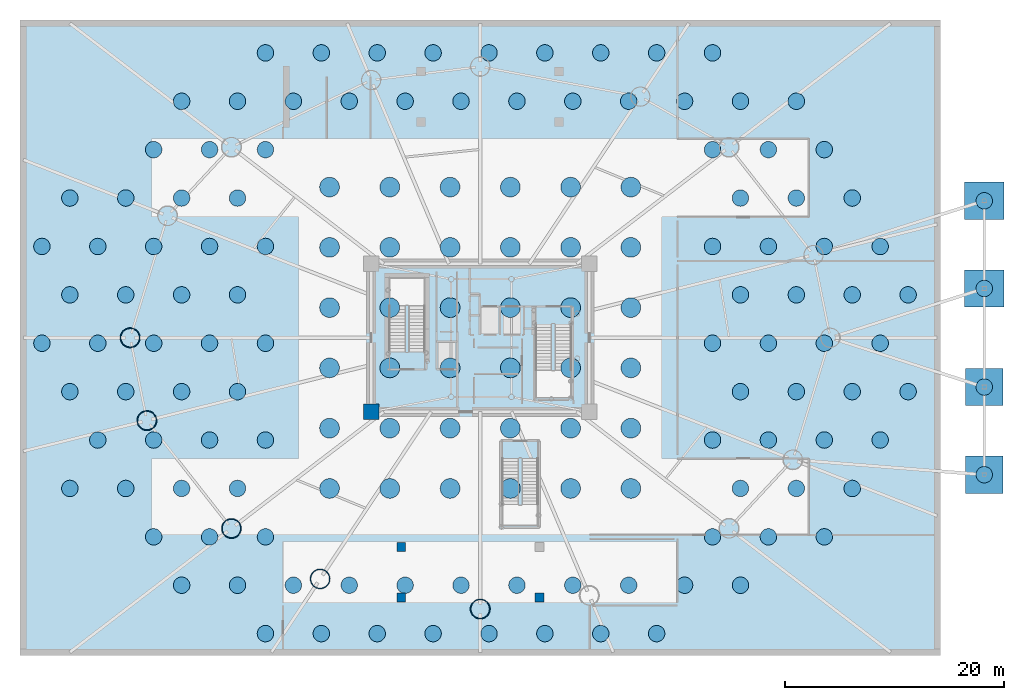
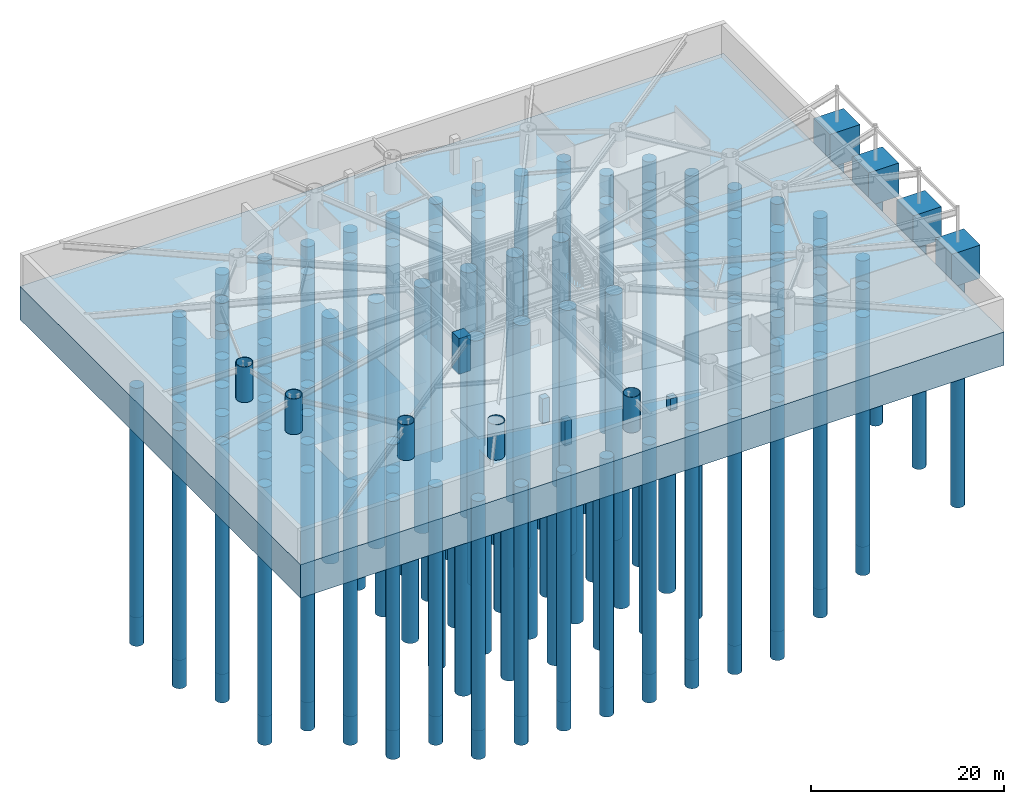
# One storey, part 1 of 18: 148 piles, 9 columns, 5 footings.
"""IFC4 building model written with IfcOpenShell, lengths in metres."""

from ifc_helpers import new_model, si_unit, direction, frame, origin, origin_2d, place, context, subcontext, project, spatial, polyline, rectangle, circle, hollow_circle, outline, extrude, material, layer, layer_set, material_profile, profile_set, type_object, element, save


model = new_model("IFC4")

# Units and contexts
model_context = context("Model", 3, precision=1e-05, world=origin(), true_north=direction((0.0, 1.0)))
body_context = subcontext(model_context, "Body", "Model", "MODEL_VIEW")
ifc_project = project(units=[si_unit("LENGTHUNIT", "METRE"), si_unit("AREAUNIT", "SQUARE_METRE"), si_unit("VOLUMEUNIT", "CUBIC_METRE"), si_unit("PLANEANGLEUNIT", "RADIAN"), si_unit("MASSUNIT", "GRAM", prefix="KILO")], contexts=[model_context])

# Site, building, storey
site_placement = place(None, origin())
site = spatial("IfcSite", under=ifc_project, at=site_placement, CompositionType="ELEMENT")
building_placement = place(site_placement, origin())
building = spatial("IfcBuilding", under=site, at=building_placement, Name="Linh Dai School and Residence Tower", CompositionType="ELEMENT")
storey_placement = place(building_placement, frame((0.0, 0.0, -9.0)))
storey = spatial("IfcBuildingStorey", under=building, at=storey_placement, Name="B02", CompositionType="ELEMENT", Elevation=-9.0)

# Footings
ifc_material_1 = material(Name="Concrete B45 (C35/45)", Category="concrete")
ifc_layer_1 = layer(ifc_material_1, 4.199951171875)
ifc_layer_set_1 = layer_set([ifc_layer_1], Name="Concrete B45 (C35/45)")
footing_type_1 = type_object("IfcFootingType", Name="FTG-PC1", PredefinedType="PILE_CAP", material=ifc_layer_set_1)
footing_1_placement = place(storey_placement, frame((0.0, 0.0, -4.199951171875)))
element("IfcFooting", 1, at=footing_1_placement, inside=storey, type_object=footing_type_1, Name="East Arrival Discrete Pile Cap PC1-1", PredefinedType="PILE_CAP", context=body_context, shape_type="SweptSolid", body=[
    extrude(outline(polyline([(80.300048828125, 12.800048828125), (83.699951171875, 12.800048828125), (83.699951171875, 16.199951171875), (80.300048828125, 16.199951171875), (80.300048828125, 12.800048828125)])), origin(), (0.0, 0.0, 1.0), 4.199951171875),
])
footing_2_placement = place(storey_placement, frame((0.0, 0.0, -4.199951171875)))
element("IfcFooting", 2, at=footing_2_placement, inside=storey, type_object=footing_type_1, Name="East Arrival Discrete Pile Cap PC1-2", PredefinedType="PILE_CAP", context=body_context, shape_type="SweptSolid", body=[
    extrude(outline(polyline([(80.300048828125, 20.800048828125), (83.699951171875, 20.800048828125), (83.699951171875, 24.199951171875), (80.300048828125, 24.199951171875), (80.300048828125, 20.800048828125)])), origin(), (0.0, 0.0, 1.0), 4.199951171875),
])
ifc_layer_2 = layer(ifc_material_1, 4.199951171875)
ifc_layer_set_2 = layer_set([ifc_layer_2], Name="Concrete B45 (C35/45)")
footing_type_2 = type_object("IfcFootingType", Name="FTG-PC2", PredefinedType="PILE_CAP", material=ifc_layer_set_2)
footing_3_placement = place(storey_placement, frame((0.0, 0.0, -4.199951171875)))
element("IfcFooting", 3, at=footing_3_placement, inside=storey, type_object=footing_type_2, Name="East Arrival Discrete Pile Cap PC2-1", PredefinedType="PILE_CAP", context=body_context, shape_type="SweptSolid", body=[
    extrude(outline(polyline([(80.199951171875, 29.800048828125), (83.800048828125, 29.800048828125), (83.800048828125, 33.199951171875), (80.199951171875, 33.199951171875), (80.199951171875, 29.800048828125)])), origin(), (0.0, 0.0, 1.0), 4.199951171875),
])
footing_4_placement = place(storey_placement, frame((0.0, 0.0, -4.199951171875)))
element("IfcFooting", 4, at=footing_4_placement, inside=storey, type_object=footing_type_2, Name="East Arrival Discrete Pile Cap PC2-2", PredefinedType="PILE_CAP", context=body_context, shape_type="SweptSolid", body=[
    extrude(outline(polyline([(80.199951171875, 37.800048828125), (83.800048828125, 37.800048828125), (83.800048828125, 41.199951171875), (80.199951171875, 41.199951171875), (80.199951171875, 37.800048828125)])), origin(), (0.0, 0.0, 1.0), 4.199951171875),
])
ifc_layer_3 = layer(ifc_material_1, 4.199951171875)
ifc_layer_set_3 = layer_set([ifc_layer_3], Name="Concrete B45 (C35/45)")
footing_type_3 = type_object("IfcFootingType", Name="FTG-PR1", PredefinedType="PAD_FOOTING", material=ifc_layer_set_3)
footing_5_placement = place(storey_placement, frame((0.0, 0.0, -4.199951171875)))
element("IfcFooting", 5, at=footing_5_placement, inside=storey, type_object=footing_type_3, Name="B02 Piled Raft Foundation PR1", PredefinedType="PAD_FOOTING", context=body_context, shape_type="SweptSolid", body=[
    extrude(outline(polyline([(-6.0, -2.0), (78.0, -2.0), (78.0, 56.0), (-6.0, 56.0), (-6.0, -2.0)])), origin(), (0.0, 0.0, 1.0), 4.199951171875),
])

# Piles
ifc_material_profile_1 = material_profile(ifc_material_1, circle(Radius=0.89990234375, at=origin_2d()), Name="PILE D1800")
ifc_profile_set_1 = profile_set([ifc_material_profile_1], Name="Concrete B45 (C35/45)")
pile_type_1 = type_object("IfcPileType", Name="PILE-P1", PredefinedType="BORED", material=ifc_profile_set_1)
for number, where, z_axis, x_axis, name in (
    (6, (22.25, 13.25, -4.10009765625), (0.0, 0.0, -1.0), (1.0, 0.0, 0.0), "Granite-Socketed Bored Pile P1-001"),
    (7, (22.25, 18.75, -4.10009765625), (0.0, 0.0, -1.0), (1.0, 0.0, 0.0), "Granite-Socketed Bored Pile P1-002"),
    (8, (22.25, 24.25, -4.10009765625), (0.0, 0.0, -1.0), (1.0, 0.0, 0.0), "Granite-Socketed Bored Pile P1-003"),
    (9, (22.25, 29.75, -4.10009765625), (0.0, 0.0, -1.0), (1.0, 0.0, 0.0), "Granite-Socketed Bored Pile P1-004"),
    (10, (22.25, 35.25, -4.10009765625), (0.0, 0.0, -1.0), (1.0, 0.0, 0.0), "Granite-Socketed Bored Pile P1-005"),
    (11, (22.25, 40.75, -4.10009765625), (0.0, 0.0, -1.0), (1.0, 0.0, 0.0), "Granite-Socketed Bored Pile P1-006"),
    (12, (27.75, 13.25, -4.10009765625), (0.0, 0.0, -1.0), (1.0, 0.0, 0.0), "Granite-Socketed Bored Pile P1-007"),
    (13, (27.75, 18.75, -4.10009765625), (0.0, 0.0, -1.0), (1.0, 0.0, 0.0), "Granite-Socketed Bored Pile P1-008"),
    (14, (27.75, 24.25, -4.10009765625), (0.0, 0.0, -1.0), (1.0, 0.0, 0.0), "Granite-Socketed Bored Pile P1-009"),
    (15, (27.75, 29.75, -4.10009765625), (0.0, 0.0, -1.0), (1.0, 0.0, 0.0), "Granite-Socketed Bored Pile P1-010"),
    (16, (27.75, 35.25, -4.10009765625), (0.0, 0.0, -1.0), (1.0, 0.0, 0.0), "Granite-Socketed Bored Pile P1-011"),
    (17, (27.75, 40.75, -4.10009765625), (0.0, 0.0, -1.0), (1.0, 0.0, 0.0), "Granite-Socketed Bored Pile P1-012"),
    (18, (33.25, 13.25, -4.10009765625), (0.0, 0.0, -1.0), (1.0, 0.0, 0.0), "Granite-Socketed Bored Pile P1-013"),
    (19, (33.25, 18.75, -4.10009765625), (0.0, 0.0, -1.0), (1.0, 0.0, 0.0), "Granite-Socketed Bored Pile P1-014"),
    (20, (33.25, 24.25, -4.10009765625), (0.0, 0.0, -1.0), (1.0, 0.0, 0.0), "Granite-Socketed Bored Pile P1-015"),
    (21, (33.25, 29.75, -4.10009765625), (0.0, 0.0, -1.0), (1.0, 0.0, 0.0), "Granite-Socketed Bored Pile P1-016"),
    (22, (33.25, 35.25, -4.10009765625), (0.0, 0.0, -1.0), (1.0, 0.0, 0.0), "Granite-Socketed Bored Pile P1-017"),
    (23, (33.25, 40.75, -4.10009765625), (0.0, 0.0, -1.0), (1.0, 0.0, 0.0), "Granite-Socketed Bored Pile P1-018"),
    (24, (38.75, 13.25, -4.10009765625), (0.0, 0.0, -1.0), (1.0, 0.0, 0.0), "Granite-Socketed Bored Pile P1-019"),
    (25, (38.75, 18.75, -4.10009765625), (0.0, 0.0, -1.0), (1.0, 0.0, 0.0), "Granite-Socketed Bored Pile P1-020"),
    (26, (38.75, 24.25, -4.10009765625), (0.0, 0.0, -1.0), (1.0, 0.0, 0.0), "Granite-Socketed Bored Pile P1-021"),
    (27, (38.75, 29.75, -4.10009765625), (0.0, 0.0, -1.0), (1.0, 0.0, 0.0), "Granite-Socketed Bored Pile P1-022"),
    (28, (38.75, 35.25, -4.10009765625), (0.0, 0.0, -1.0), (1.0, 0.0, 0.0), "Granite-Socketed Bored Pile P1-023"),
    (29, (38.75, 40.75, -4.10009765625), (0.0, 0.0, -1.0), (1.0, 0.0, 0.0), "Granite-Socketed Bored Pile P1-024"),
    (30, (44.25, 13.25, -4.10009765625), (0.0, 0.0, -1.0), (1.0, 0.0, 0.0), "Granite-Socketed Bored Pile P1-025"),
    (31, (44.25, 18.75, -4.10009765625), (0.0, 0.0, -1.0), (1.0, 0.0, 0.0), "Granite-Socketed Bored Pile P1-026"),
    (32, (44.25, 24.25, -4.10009765625), (0.0, 0.0, -1.0), (1.0, 0.0, 0.0), "Granite-Socketed Bored Pile P1-027"),
    (33, (44.25, 29.75, -4.10009765625), (0.0, 0.0, -1.0), (1.0, 0.0, 0.0), "Granite-Socketed Bored Pile P1-028"),
    (34, (44.25, 35.25, -4.10009765625), (0.0, 0.0, -1.0), (1.0, 0.0, 0.0), "Granite-Socketed Bored Pile P1-029"),
    (35, (44.25, 40.75, -4.10009765625), (0.0, 0.0, -1.0), (1.0, 0.0, 0.0), "Granite-Socketed Bored Pile P1-030"),
    (36, (49.75, 13.25, -4.10009765625), (0.0, 0.0, -1.0), (1.0, 0.0, 0.0), "Granite-Socketed Bored Pile P1-031"),
    (37, (49.75, 18.75, -4.10009765625), (0.0, 0.0, -1.0), (1.0, 0.0, 0.0), "Granite-Socketed Bored Pile P1-032"),
    (38, (49.75, 24.25, -4.10009765625), (0.0, 0.0, -1.0), (1.0, 0.0, 0.0), "Granite-Socketed Bored Pile P1-033"),
    (39, (49.75, 29.75, -4.10009765625), (0.0, 0.0, -1.0), (1.0, 0.0, 0.0), "Granite-Socketed Bored Pile P1-034"),
    (40, (49.75, 35.25, -4.10009765625), (0.0, 0.0, -1.0), (1.0, 0.0, 0.0), "Granite-Socketed Bored Pile P1-035"),
    (41, (49.75, 40.75, -4.10009765625), (0.0, 0.0, -1.0), (1.0, 0.0, 0.0), "Granite-Socketed Bored Pile P1-036"),
):
    element("IfcPile", number, at=place(storey_placement, frame(where, z_axis=z_axis, x_axis=x_axis)), inside=storey, type_object=pile_type_1, Name=name, PredefinedType="BORED", context=body_context, shape_type="SweptSolid", body=[
        extrude(circle(Radius=0.89990234375, at=origin_2d()), origin(), (0.0, 0.0, 1.0), 31.0),
    ])
ifc_material_profile_2 = material_profile(ifc_material_1, circle(Radius=0.75, at=origin_2d()), Name="PILE D1500")
ifc_profile_set_2 = profile_set([ifc_material_profile_2], Name="Concrete B45 (C35/45)")
pile_type_2 = type_object("IfcPileType", Name="PILE-P2", PredefinedType="BORED", material=ifc_profile_set_2)
for number, where, z_axis, x_axis, name in (
    (42, (-4.0, 26.500244140625, -4.10009765625), (0.0, 0.0, -1.0), (1.0, 0.0, 0.0), "Granite-Socketed Bored Pile P2-001"),
    (43, (-4.0, 35.33349609375, -4.10009765625), (0.0, 0.0, -1.0), (1.0, 0.0, 0.0), "Granite-Socketed Bored Pile P2-002"),
    (44, (-1.449951171875, 13.25, -4.10009765625), (0.0, 0.0, -1.0), (1.0, 0.0, 0.0), "Granite-Socketed Bored Pile P2-003"),
    (45, (-1.449951171875, 22.08349609375, -4.10009765625), (0.0, 0.0, -1.0), (1.0, 0.0, 0.0), "Granite-Socketed Bored Pile P2-004"),
    (46, (-1.449951171875, 30.9169921875, -4.10009765625), (0.0, 0.0, -1.0), (1.0, 0.0, 0.0), "Granite-Socketed Bored Pile P2-005"),
    (47, (-1.449951171875, 39.750244140625, -4.10009765625), (0.0, 0.0, -1.0), (1.0, 0.0, 0.0), "Granite-Socketed Bored Pile P2-006"),
    (48, (1.10009765625, 17.666748046875, -4.10009765625), (0.0, 0.0, -1.0), (1.0, 0.0, 0.0), "Granite-Socketed Bored Pile P2-007"),
    (49, (1.10009765625, 26.500244140625, -4.10009765625), (0.0, 0.0, -1.0), (1.0, 0.0, 0.0), "Granite-Socketed Bored Pile P2-008"),
    (50, (1.10009765625, 35.33349609375, -4.10009765625), (0.0, 0.0, -1.0), (1.0, 0.0, 0.0), "Granite-Socketed Bored Pile P2-009"),
    (51, (3.64990234375, 13.25, -4.10009765625), (0.0, 0.0, -1.0), (1.0, 0.0, 0.0), "Granite-Socketed Bored Pile P2-010"),
    (52, (3.64990234375, 22.08349609375, -4.10009765625), (0.0, 0.0, -1.0), (1.0, 0.0, 0.0), "Granite-Socketed Bored Pile P2-011"),
    (53, (3.64990234375, 30.9169921875, -4.10009765625), (0.0, 0.0, -1.0), (1.0, 0.0, 0.0), "Granite-Socketed Bored Pile P2-012"),
    (54, (3.64990234375, 39.750244140625, -4.10009765625), (0.0, 0.0, -1.0), (1.0, 0.0, 0.0), "Granite-Socketed Bored Pile P2-013"),
    (55, (6.199951171875, 8.83349609375, -4.10009765625), (0.0, 0.0, -1.0), (1.0, 0.0, 0.0), "Granite-Socketed Bored Pile P2-014"),
    (56, (6.199951171875, 17.666748046875, -4.10009765625), (0.0, 0.0, -1.0), (1.0, 0.0, 0.0), "Granite-Socketed Bored Pile P2-015"),
    (57, (6.199951171875, 26.500244140625, -4.10009765625), (0.0, 0.0, -1.0), (1.0, 0.0, 0.0), "Granite-Socketed Bored Pile P2-016"),
    (58, (6.199951171875, 35.33349609375, -4.10009765625), (0.0, 0.0, -1.0), (1.0, 0.0, 0.0), "Granite-Socketed Bored Pile P2-017"),
    (59, (6.199951171875, 44.1669921875, -4.10009765625), (0.0, 0.0, -1.0), (1.0, 0.0, 0.0), "Granite-Socketed Bored Pile P2-018"),
    (60, (8.75, 4.416748046875, -4.10009765625), (0.0, 0.0, -1.0), (1.0, 0.0, 0.0), "Granite-Socketed Bored Pile P2-019"),
    (61, (8.75, 13.25, -4.10009765625), (0.0, 0.0, -1.0), (1.0, 0.0, 0.0), "Granite-Socketed Bored Pile P2-020"),
    (62, (8.75, 22.08349609375, -4.10009765625), (0.0, 0.0, -1.0), (1.0, 0.0, 0.0), "Granite-Socketed Bored Pile P2-021"),
    (63, (8.75, 30.9169921875, -4.10009765625), (0.0, 0.0, -1.0), (1.0, 0.0, 0.0), "Granite-Socketed Bored Pile P2-022"),
    (64, (8.75, 39.750244140625, -4.10009765625), (0.0, 0.0, -1.0), (1.0, 0.0, 0.0), "Granite-Socketed Bored Pile P2-023"),
    (65, (8.75, 48.583740234375, -4.10009765625), (0.0, 0.0, -1.0), (1.0, 0.0, 0.0), "Granite-Socketed Bored Pile P2-024"),
    (66, (11.300048828125, 8.83349609375, -4.10009765625), (0.0, 0.0, -1.0), (1.0, 0.0, 0.0), "Granite-Socketed Bored Pile P2-025"),
    (67, (11.300048828125, 17.666748046875, -4.10009765625), (0.0, 0.0, -1.0), (1.0, 0.0, 0.0), "Granite-Socketed Bored Pile P2-026"),
    (68, (11.300048828125, 26.500244140625, -4.10009765625), (0.0, 0.0, -1.0), (1.0, 0.0, 0.0), "Granite-Socketed Bored Pile P2-027"),
    (69, (11.300048828125, 35.33349609375, -4.10009765625), (0.0, 0.0, -1.0), (1.0, 0.0, 0.0), "Granite-Socketed Bored Pile P2-028"),
    (70, (11.300048828125, 44.1669921875, -4.10009765625), (0.0, 0.0, -1.0), (1.0, 0.0, 0.0), "Granite-Socketed Bored Pile P2-029"),
    (71, (13.85009765625, 4.416748046875, -4.10009765625), (0.0, 0.0, -1.0), (1.0, 0.0, 0.0), "Granite-Socketed Bored Pile P2-030"),
    (72, (13.85009765625, 13.25, -4.10009765625), (0.0, 0.0, -1.0), (1.0, 0.0, 0.0), "Granite-Socketed Bored Pile P2-031"),
    (73, (13.85009765625, 22.08349609375, -4.10009765625), (0.0, 0.0, -1.0), (1.0, 0.0, 0.0), "Granite-Socketed Bored Pile P2-032"),
    (74, (13.85009765625, 30.9169921875, -4.10009765625), (0.0, 0.0, -1.0), (1.0, 0.0, 0.0), "Granite-Socketed Bored Pile P2-033"),
    (75, (13.85009765625, 39.750244140625, -4.10009765625), (0.0, 0.0, -1.0), (1.0, 0.0, 0.0), "Granite-Socketed Bored Pile P2-034"),
    (76, (13.85009765625, 48.583740234375, -4.10009765625), (0.0, 0.0, -1.0), (1.0, 0.0, 0.0), "Granite-Socketed Bored Pile P2-035"),
    (77, (16.39990234375, 0.0, -4.10009765625), (0.0, 0.0, -1.0), (1.0, 0.0, 0.0), "Granite-Socketed Bored Pile P2-036"),
    (78, (16.39990234375, 8.83349609375, -4.10009765625), (0.0, 0.0, -1.0), (1.0, 0.0, 0.0), "Granite-Socketed Bored Pile P2-037"),
    (79, (16.39990234375, 17.666748046875, -4.10009765625), (0.0, 0.0, -1.0), (1.0, 0.0, 0.0), "Granite-Socketed Bored Pile P2-038"),
    (80, (16.39990234375, 26.500244140625, -4.10009765625), (0.0, 0.0, -1.0), (1.0, 0.0, 0.0), "Granite-Socketed Bored Pile P2-039"),
    (81, (16.39990234375, 35.33349609375, -4.10009765625), (0.0, 0.0, -1.0), (1.0, 0.0, 0.0), "Granite-Socketed Bored Pile P2-040"),
    (82, (16.39990234375, 44.1669921875, -4.10009765625), (0.0, 0.0, -1.0), (1.0, 0.0, 0.0), "Granite-Socketed Bored Pile P2-041"),
    (83, (16.39990234375, 53.00048828125, -4.10009765625), (0.0, 0.0, -1.0), (1.0, 0.0, 0.0), "Granite-Socketed Bored Pile P2-042"),
    (84, (18.949951171875, 4.416748046875, -4.10009765625), (0.0, 0.0, -1.0), (1.0, 0.0, 0.0), "Granite-Socketed Bored Pile P2-043"),
    (85, (18.949951171875, 48.583740234375, -4.10009765625), (0.0, 0.0, -1.0), (1.0, 0.0, 0.0), "Granite-Socketed Bored Pile P2-044"),
    (86, (21.5, 0.0, -4.10009765625), (0.0, 0.0, -1.0), (1.0, 0.0, 0.0), "Granite-Socketed Bored Pile P2-045"),
    (87, (21.5, 53.00048828125, -4.10009765625), (0.0, 0.0, -1.0), (1.0, 0.0, 0.0), "Granite-Socketed Bored Pile P2-046"),
    (88, (24.050048828125, 4.416748046875, -4.10009765625), (0.0, 0.0, -1.0), (1.0, 0.0, 0.0), "Granite-Socketed Bored Pile P2-047"),
    (89, (24.050048828125, 48.583740234375, -4.10009765625), (0.0, 0.0, -1.0), (1.0, 0.0, 0.0), "Granite-Socketed Bored Pile P2-048"),
    (90, (26.60009765625, 0.0, -4.10009765625), (0.0, 0.0, -1.0), (1.0, 0.0, 0.0), "Granite-Socketed Bored Pile P2-049"),
    (91, (26.60009765625, 53.00048828125, -4.10009765625), (0.0, 0.0, -1.0), (1.0, 0.0, 0.0), "Granite-Socketed Bored Pile P2-050"),
    (92, (29.14990234375, 4.416748046875, -4.10009765625), (0.0, 0.0, -1.0), (1.0, 0.0, 0.0), "Granite-Socketed Bored Pile P2-051"),
    (93, (29.14990234375, 48.583740234375, -4.10009765625), (0.0, 0.0, -1.0), (1.0, 0.0, 0.0), "Granite-Socketed Bored Pile P2-052"),
    (94, (31.699951171875, 0.0, -4.10009765625), (0.0, 0.0, -1.0), (1.0, 0.0, 0.0), "Granite-Socketed Bored Pile P2-053"),
    (95, (31.699951171875, 53.00048828125, -4.10009765625), (0.0, 0.0, -1.0), (1.0, 0.0, 0.0), "Granite-Socketed Bored Pile P2-054"),
    (96, (34.25, 4.416748046875, -4.10009765625), (0.0, 0.0, -1.0), (1.0, 0.0, 0.0), "Granite-Socketed Bored Pile P2-055"),
    (97, (34.25, 48.583740234375, -4.10009765625), (0.0, 0.0, -1.0), (1.0, 0.0, 0.0), "Granite-Socketed Bored Pile P2-056"),
    (98, (36.800048828125, 0.0, -4.10009765625), (0.0, 0.0, -1.0), (1.0, 0.0, 0.0), "Granite-Socketed Bored Pile P2-057"),
    (99, (36.800048828125, 53.00048828125, -4.10009765625), (0.0, 0.0, -1.0), (1.0, 0.0, 0.0), "Granite-Socketed Bored Pile P2-058"),
    (100, (39.35009765625, 4.416748046875, -4.10009765625), (0.0, 0.0, -1.0), (1.0, 0.0, 0.0), "Granite-Socketed Bored Pile P2-059"),
    (101, (39.35009765625, 48.583740234375, -4.10009765625), (0.0, 0.0, -1.0), (1.0, 0.0, 0.0), "Granite-Socketed Bored Pile P2-060"),
    (102, (41.89990234375, 0.0, -4.10009765625), (0.0, 0.0, -1.0), (1.0, 0.0, 0.0), "Granite-Socketed Bored Pile P2-061"),
    (103, (41.89990234375, 53.00048828125, -4.10009765625), (0.0, 0.0, -1.0), (1.0, 0.0, 0.0), "Granite-Socketed Bored Pile P2-062"),
    (104, (44.449951171875, 4.416748046875, -4.10009765625), (0.0, 0.0, -1.0), (1.0, 0.0, 0.0), "Granite-Socketed Bored Pile P2-063"),
    (105, (44.449951171875, 48.583740234375, -4.10009765625), (0.0, 0.0, -1.0), (1.0, 0.0, 0.0), "Granite-Socketed Bored Pile P2-064"),
    (106, (47.0, 0.0, -4.10009765625), (0.0, 0.0, -1.0), (1.0, 0.0, 0.0), "Granite-Socketed Bored Pile P2-065"),
    (107, (47.0, 53.00048828125, -4.10009765625), (0.0, 0.0, -1.0), (1.0, 0.0, 0.0), "Granite-Socketed Bored Pile P2-066"),
    (108, (49.550048828125, 4.416748046875, -4.10009765625), (0.0, 0.0, -1.0), (1.0, 0.0, 0.0), "Granite-Socketed Bored Pile P2-067"),
    (109, (49.550048828125, 48.583740234375, -4.10009765625), (0.0, 0.0, -1.0), (1.0, 0.0, 0.0), "Granite-Socketed Bored Pile P2-068"),
    (110, (52.10009765625, 0.0, -4.10009765625), (0.0, 0.0, -1.0), (1.0, 0.0, 0.0), "Granite-Socketed Bored Pile P2-069"),
    (111, (52.10009765625, 53.00048828125, -4.10009765625), (0.0, 0.0, -1.0), (1.0, 0.0, 0.0), "Granite-Socketed Bored Pile P2-070"),
    (112, (54.64990234375, 4.416748046875, -4.10009765625), (0.0, 0.0, -1.0), (1.0, 0.0, 0.0), "Granite-Socketed Bored Pile P2-071"),
    (113, (54.64990234375, 48.583740234375, -4.10009765625), (0.0, 0.0, -1.0), (1.0, 0.0, 0.0), "Granite-Socketed Bored Pile P2-072"),
    (114, (57.199951171875, 8.83349609375, -4.10009765625), (0.0, 0.0, -1.0), (1.0, 0.0, 0.0), "Granite-Socketed Bored Pile P2-073"),
    (115, (57.199951171875, 17.666748046875, -4.10009765625), (0.0, 0.0, -1.0), (1.0, 0.0, 0.0), "Granite-Socketed Bored Pile P2-074"),
    (116, (57.199951171875, 26.500244140625, -4.10009765625), (0.0, 0.0, -1.0), (1.0, 0.0, 0.0), "Granite-Socketed Bored Pile P2-075"),
    (117, (57.199951171875, 35.33349609375, -4.10009765625), (0.0, 0.0, -1.0), (1.0, 0.0, 0.0), "Granite-Socketed Bored Pile P2-076"),
    (118, (57.199951171875, 44.1669921875, -4.10009765625), (0.0, 0.0, -1.0), (1.0, 0.0, 0.0), "Granite-Socketed Bored Pile P2-077"),
    (119, (57.199951171875, 53.00048828125, -4.10009765625), (0.0, 0.0, -1.0), (1.0, 0.0, 0.0), "Granite-Socketed Bored Pile P2-078"),
    (120, (59.75, 4.416748046875, -4.10009765625), (0.0, 0.0, -1.0), (1.0, 0.0, 0.0), "Granite-Socketed Bored Pile P2-079"),
    (121, (59.75, 13.25, -4.10009765625), (0.0, 0.0, -1.0), (1.0, 0.0, 0.0), "Granite-Socketed Bored Pile P2-080"),
    (122, (59.75, 22.08349609375, -4.10009765625), (0.0, 0.0, -1.0), (1.0, 0.0, 0.0), "Granite-Socketed Bored Pile P2-081"),
    (123, (59.75, 30.9169921875, -4.10009765625), (0.0, 0.0, -1.0), (1.0, 0.0, 0.0), "Granite-Socketed Bored Pile P2-082"),
    (124, (59.75, 39.750244140625, -4.10009765625), (0.0, 0.0, -1.0), (1.0, 0.0, 0.0), "Granite-Socketed Bored Pile P2-083"),
    (125, (59.75, 48.583740234375, -4.10009765625), (0.0, 0.0, -1.0), (1.0, 0.0, 0.0), "Granite-Socketed Bored Pile P2-084"),
    (126, (62.300048828125, 8.83349609375, -4.10009765625), (0.0, 0.0, -1.0), (1.0, 0.0, 0.0), "Granite-Socketed Bored Pile P2-085"),
    (127, (62.300048828125, 17.666748046875, -4.10009765625), (0.0, 0.0, -1.0), (1.0, 0.0, 0.0), "Granite-Socketed Bored Pile P2-086"),
    (128, (62.300048828125, 26.500244140625, -4.10009765625), (0.0, 0.0, -1.0), (1.0, 0.0, 0.0), "Granite-Socketed Bored Pile P2-087"),
    (129, (62.300048828125, 35.33349609375, -4.10009765625), (0.0, 0.0, -1.0), (1.0, 0.0, 0.0), "Granite-Socketed Bored Pile P2-088"),
    (130, (62.300048828125, 44.1669921875, -4.10009765625), (0.0, 0.0, -1.0), (1.0, 0.0, 0.0), "Granite-Socketed Bored Pile P2-089"),
    (131, (64.85009765625, 13.25, -4.10009765625), (0.0, 0.0, -1.0), (1.0, 0.0, 0.0), "Granite-Socketed Bored Pile P2-090"),
    (132, (64.85009765625, 22.08349609375, -4.10009765625), (0.0, 0.0, -1.0), (1.0, 0.0, 0.0), "Granite-Socketed Bored Pile P2-091"),
    (133, (64.85009765625, 30.9169921875, -4.10009765625), (0.0, 0.0, -1.0), (1.0, 0.0, 0.0), "Granite-Socketed Bored Pile P2-092"),
    (134, (64.85009765625, 39.750244140625, -4.10009765625), (0.0, 0.0, -1.0), (1.0, 0.0, 0.0), "Granite-Socketed Bored Pile P2-093"),
    (135, (64.85009765625, 48.583740234375, -4.10009765625), (0.0, 0.0, -1.0), (1.0, 0.0, 0.0), "Granite-Socketed Bored Pile P2-094"),
    (136, (67.39990234375, 8.83349609375, -4.10009765625), (0.0, 0.0, -1.0), (1.0, 0.0, 0.0), "Granite-Socketed Bored Pile P2-095"),
    (137, (67.39990234375, 17.666748046875, -4.10009765625), (0.0, 0.0, -1.0), (1.0, 0.0, 0.0), "Granite-Socketed Bored Pile P2-096"),
    (138, (67.39990234375, 26.500244140625, -4.10009765625), (0.0, 0.0, -1.0), (1.0, 0.0, 0.0), "Granite-Socketed Bored Pile P2-097"),
    (139, (67.39990234375, 35.33349609375, -4.10009765625), (0.0, 0.0, -1.0), (1.0, 0.0, 0.0), "Granite-Socketed Bored Pile P2-098"),
    (140, (67.39990234375, 44.1669921875, -4.10009765625), (0.0, 0.0, -1.0), (1.0, 0.0, 0.0), "Granite-Socketed Bored Pile P2-099"),
    (141, (69.949951171875, 13.25, -4.10009765625), (0.0, 0.0, -1.0), (1.0, 0.0, 0.0), "Granite-Socketed Bored Pile P2-100"),
    (142, (69.949951171875, 22.08349609375, -4.10009765625), (0.0, 0.0, -1.0), (1.0, 0.0, 0.0), "Granite-Socketed Bored Pile P2-101"),
    (143, (69.949951171875, 30.9169921875, -4.10009765625), (0.0, 0.0, -1.0), (1.0, 0.0, 0.0), "Granite-Socketed Bored Pile P2-102"),
    (144, (69.949951171875, 39.750244140625, -4.10009765625), (0.0, 0.0, -1.0), (1.0, 0.0, 0.0), "Granite-Socketed Bored Pile P2-103"),
    (145, (72.5, 17.666748046875, -4.10009765625), (0.0, 0.0, -1.0), (1.0, 0.0, 0.0), "Granite-Socketed Bored Pile P2-104"),
    (146, (72.5, 26.500244140625, -4.10009765625), (0.0, 0.0, -1.0), (1.0, 0.0, 0.0), "Granite-Socketed Bored Pile P2-105"),
    (147, (72.5, 35.33349609375, -4.10009765625), (0.0, 0.0, -1.0), (1.0, 0.0, 0.0), "Granite-Socketed Bored Pile P2-106"),
    (148, (75.050048828125, 22.08349609375, -4.10009765625), (0.0, 0.0, -1.0), (1.0, 0.0, 0.0), "Granite-Socketed Bored Pile P2-107"),
    (149, (75.050048828125, 30.9169921875, -4.10009765625), (0.0, 0.0, -1.0), (1.0, 0.0, 0.0), "Granite-Socketed Bored Pile P2-108"),
    (150, (82.0, 14.5, -4.10009765625), (0.0, 0.0, -1.0), (1.0, 0.0, 0.0), "Granite-Socketed Bored Pile P2-109"),
    (151, (82.0, 22.5, -4.10009765625), (0.0, 0.0, -1.0), (1.0, 0.0, 0.0), "Granite-Socketed Bored Pile P2-110"),
    (152, (82.0, 31.5, -4.10009765625), (0.0, 0.0, -1.0), (1.0, 0.0, 0.0), "Granite-Socketed Bored Pile P2-111"),
    (153, (82.0, 39.5, -4.10009765625), (0.0, 0.0, -1.0), (1.0, 0.0, 0.0), "Granite-Socketed Bored Pile P2-112"),
):
    element("IfcPile", number, at=place(storey_placement, frame(where, z_axis=z_axis, x_axis=x_axis)), inside=storey, type_object=pile_type_2, Name=name, PredefinedType="BORED", context=body_context, shape_type="SweptSolid", body=[
        extrude(circle(Radius=0.75, at=origin_2d()), origin(), (0.0, 0.0, 1.0), 29.0),
    ])

# Columns
ifc_material_2 = material(Name="Concrete B60 (C50/60)", Category="concrete")
ifc_material_profile_3 = material_profile(ifc_material_2, rectangle(XDim=1.39990234375, YDim=1.39990234375, at=origin_2d()), Name="RC 1400x1400")
ifc_profile_set_3 = profile_set([ifc_material_profile_3], Name="Concrete B60 (C50/60)")
column_type_1 = type_object("IfcColumnType", Name="COL-CC1", PredefinedType="COLUMN", material=ifc_profile_set_3)
column_1_placement = place(storey_placement, frame((26.050048828125, 20.25, 0.0), z_axis=(0.0, 0.0, 1.0), x_axis=(1.0, 0.0, 0.0)))
element("IfcColumn", 154, at=column_1_placement, inside=storey, type_object=column_type_1, Name="B02 Core Corner Pier CC1", PredefinedType="COLUMN", context=body_context, shape_type="SweptSolid", body=[
    extrude(rectangle(XDim=1.39990234375, YDim=1.39990234375, at=origin_2d()), origin(), (0.0, 0.0, 1.0), 4.5),
])
ifc_material_profile_4 = material_profile(ifc_material_1, rectangle(XDim=0.800048828125, YDim=0.800048828125, at=origin_2d()), Name="RC 800x800")
ifc_profile_set_4 = profile_set([ifc_material_profile_4], Name="Concrete B45 (C35/45)")
column_type_2 = type_object("IfcColumnType", Name="COL-CC5", PredefinedType="COLUMN", material=ifc_profile_set_4)
column_2_placement = place(storey_placement, frame((41.39990234375, 3.300048828125, 0.0), z_axis=(0.0, 0.0, 1.0), x_axis=(1.0, 0.0, 0.0)))
element("IfcColumn", 155, at=column_2_placement, inside=storey, type_object=column_type_2, Name="VR1 Ramp Support Pier", PredefinedType="COLUMN", context=body_context, shape_type="SweptSolid", body=[
    extrude(rectangle(XDim=0.800048828125, YDim=0.800048828125, at=origin_2d()), origin(), (0.0, 0.0, 1.0), 1.52490234375),
])
for number, where, z_axis, x_axis, name in (
    (156, (28.800048828125, 3.300048828125, 0.0), (0.0, 0.0, 1.0), (1.0, 0.0, 0.0), "VR1 Ramp Support Pier"),
    (157, (28.800048828125, 7.89990234375, 0.0), (0.0, 0.0, 1.0), (1.0, 0.0, 0.0), "VR1 Ramp Support Pier"),
):
    element("IfcColumn", number, at=place(storey_placement, frame(where, z_axis=z_axis, x_axis=x_axis)), inside=storey, type_object=column_type_2, Name=name, PredefinedType="COLUMN", context=body_context, shape_type="SweptSolid", body=[
        extrude(rectangle(XDim=0.800048828125, YDim=0.800048828125, at=origin_2d()), origin(), (0.0, 0.0, 1.0), 3.10009765625),
    ])
ifc_material_3 = material(Name="Structural Steel S355JR", Category="steel")
ifc_material_profile_5 = material_profile(ifc_material_3, hollow_circle(Radius=0.89990234375, WallThickness=0.050048828125, at=origin_2d()), Name="CHS 1800x50")
ifc_profile_set_5 = profile_set([ifc_material_profile_5], Name="Structural Steel S355JR")
column_type_3 = type_object("IfcColumnType", Name="COL-MC1", PredefinedType="COLUMN", material=ifc_profile_set_5)
for number, where, z_axis, x_axis, name in (
    (158, (4.050048828125, 27.0, 0.0), (0.0, 0.0, 1.0), (1.0, 0.0, 0.0), "B02 Perimeter CFT Mega-Column MC09"),
    (159, (5.57958984375, 19.444580078125, 0.0), (0.0, 0.0, 1.0), (1.0, 0.0, 0.0), "B02 Perimeter CFT Mega-Column MC10"),
    (160, (13.294677734375, 9.599365234375, 0.0), (0.0, 0.0, 1.0), (1.0, 0.0, 0.0), "B02 Perimeter CFT Mega-Column MC11"),
    (161, (21.390869140625, 4.994873046875, 0.0), (0.0, 0.0, 1.0), (1.0, 0.0, 0.0), "B02 Perimeter CFT Mega-Column MC12"),
    (162, (36.0, 2.25, 0.0), (0.0, 0.0, 1.0), (1.0, 0.0, 0.0), "B02 Perimeter CFT Mega-Column MC13"),
):
    element("IfcColumn", number, at=place(storey_placement, frame(where, z_axis=z_axis, x_axis=x_axis)), inside=storey, type_object=column_type_3, Name=name, PredefinedType="COLUMN", context=body_context, shape_type="SweptSolid", body=[
        extrude(hollow_circle(Radius=0.89990234375, WallThickness=0.050048828125, at=origin_2d()), origin(), (0.0, 0.0, 1.0), 4.5),
    ])

save(model, "model.ifc")
